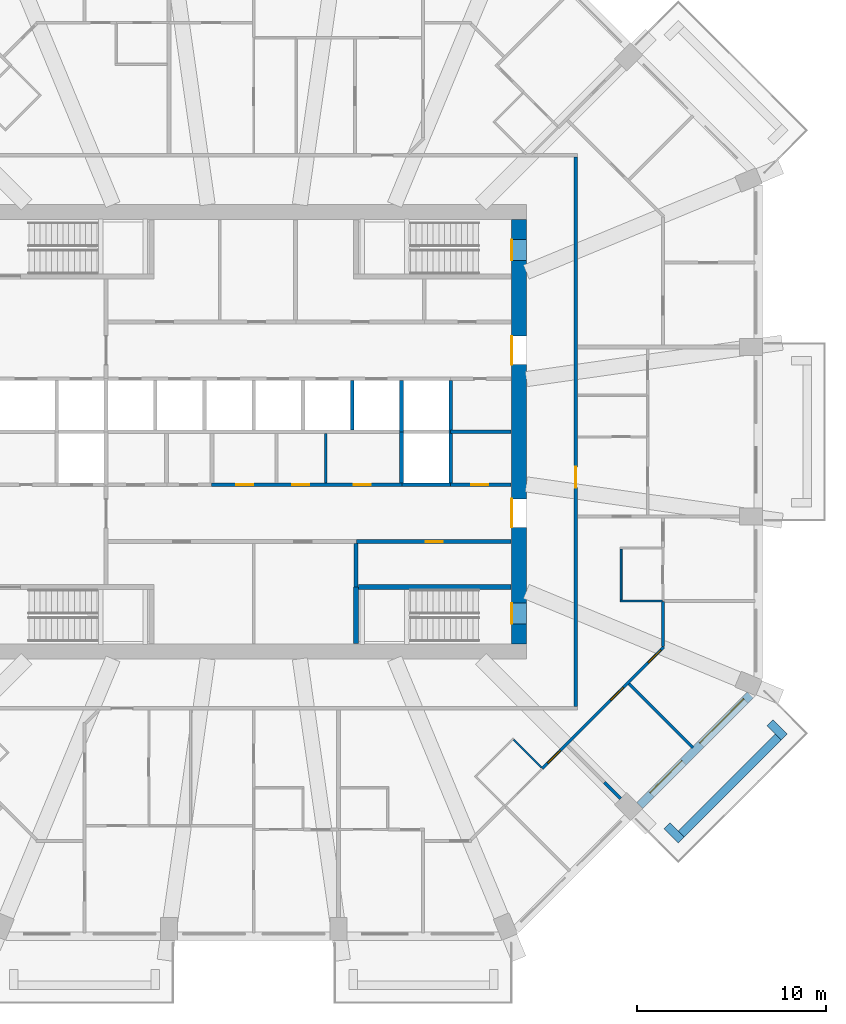
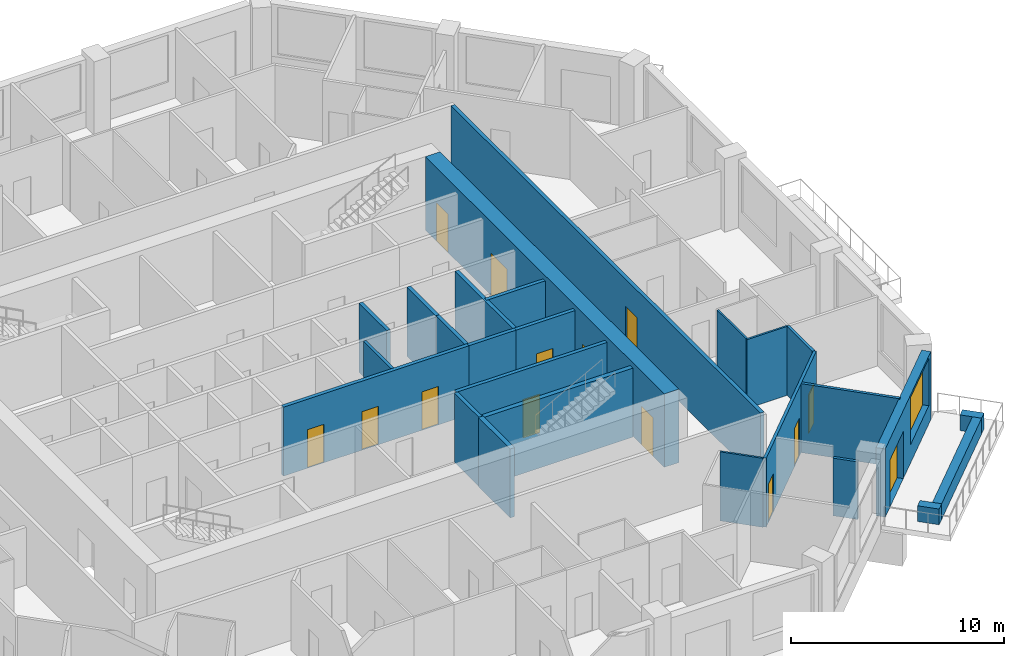
# One storey, part 6 of 13: 26 walls, 14 doors, 1 window, 15 openings.
"""IFC4 building model written with IfcOpenShell, lengths in metres."""

from ifc_helpers import new_model, si_unit, direction, frame, frame_2d, origin, place, context, subcontext, project, spatial, rectangle, extrude, material, layer, layer_set, type_object, element, fill, save


model = new_model("IFC4")

# Units and contexts
model_context = context("Model", 3, precision=1e-05, world=origin(), true_north=direction((0.0, 1.0)))
body_context = subcontext(model_context, "Body", "Model", "MODEL_VIEW")
ifc_project = project(units=[si_unit("LENGTHUNIT", "METRE"), si_unit("AREAUNIT", "SQUARE_METRE"), si_unit("VOLUMEUNIT", "CUBIC_METRE"), si_unit("PLANEANGLEUNIT", "RADIAN"), si_unit("MASSUNIT", "GRAM", prefix="KILO")], contexts=[model_context])

# Site, building, storey
site_placement = place(None, origin())
site = spatial("IfcSite", under=ifc_project, at=site_placement, CompositionType="ELEMENT")
building_placement = place(site_placement, origin())
building = spatial("IfcBuilding", under=site, at=building_placement, Name="Msitu Wima Residences", CompositionType="ELEMENT")
storey_placement = place(building_placement, frame((0.0, 0.0, 106.5)))
storey = spatial("IfcBuildingStorey", under=building, at=storey_placement, Name="L24", CompositionType="ELEMENT", Elevation=106.5)

# Walls
ifc_material_1 = material(Name="Facing brick")
ifc_layer_1 = layer(ifc_material_1, 0.06494140625, Name="Facing brick")
ifc_material_2 = material(Name="Concrete C40/50", Category="concrete")
ifc_layer_2 = layer(ifc_material_2, 0.156005859375, Name="Concrete C40/50")
ifc_material_3 = material(Name="Waterproofing membrane")
ifc_layer_3 = layer(ifc_material_3, 0.00390625, Name="Waterproofing membrane")
ifc_material_4 = material(Name="Planting soil and planting")
ifc_layer_4 = layer(ifc_material_4, 0.22509765625, Name="Planting soil and planting")
ifc_layer_set_1 = layer_set([ifc_layer_1, ifc_layer_2, ifc_layer_3, ifc_layer_4], Name="Concrete C40/50")
wall_type_1 = type_object("IfcWallType", Name="Balcony planter PLANTER PL450", PredefinedType="USERDEFINED", material=ifc_layer_set_1)
wall_1_placement = place(storey_placement, frame((22.572265625, -21.228759765625, 0.0), z_axis=(0.0, 0.0, 1.0), x_axis=(0.707106781187, 0.707106781187, 0.0)))
element("IfcWall", 1, at=wall_1_placement, inside=storey, type_object=wall_type_1, Name="Balcony planter SE1 L24", ObjectType="PLANTER", PredefinedType="USERDEFINED", context=body_context, shape_type="SweptSolid", body=[
    extrude(rectangle(XDim=7.23828125, YDim=0.449951171875, at=frame_2d((3.619140625, 0.0))), origin(), (0.0, 0.0, 1.0), 0.89990234375),
])
for number, where, z_axis, x_axis, name in (
    (2, (21.829833984375, -20.804443359375, 0.0), (0.0, 0.0, 1.0), (0.707106781187, -0.707106781187, 0.0), "Balcony planter SE1 L24"),
    (3, (27.26611328125, -15.3681640625, 0.0), (0.0, 0.0, 1.0), (0.707223014731, -0.706990528533, 0.0), "Balcony planter SE1 L24"),
):
    element("IfcWall", number, at=place(storey_placement, frame(where, z_axis=z_axis, x_axis=x_axis)), inside=storey, type_object=wall_type_1, Name=name, ObjectType="PLANTER", PredefinedType="USERDEFINED", context=body_context, shape_type="SweptSolid", body=[
        extrude(rectangle(XDim=1.050048828125, YDim=0.449951171875, at=frame_2d((0.52490234375, 0.0))), origin(), (0.0, 0.0, 1.0), 0.89990234375),
    ])

# Wall, openings, door, window
ifc_material_5 = material(Name="Brick (red buff mix)", Category="masonry")
ifc_layer_5 = layer(ifc_material_5, 0.449951171875)
ifc_layer_set_2 = layer_set([ifc_layer_5], Name="Brick (red buff mix)")
wall_type_2 = type_object("IfcWallType", Name="Brick infill wall BW450", PredefinedType="SOLIDWALL", material=ifc_layer_set_2)
wall_2_placement = place(storey_placement, frame((20.380126953125, -19.743896484375, 0.0), z_axis=(0.0, 0.0, 1.0), x_axis=(0.707106781187, 0.707106781187, 0.0)))
wall_2 = element("IfcWall", 4, at=wall_2_placement, inside=storey, type_object=wall_type_2, Name="Brick infill wall L24 SE1", PredefinedType="SOLIDWALL", context=body_context, shape_type="SweptSolid", body=[
    extrude(rectangle(XDim=8.251220703125, YDim=0.449951171875, at=frame_2d((4.12548828125, 0.0))), origin(), (0.0, 0.0, 1.0), 3.89990234375),
])
opening_1_placement = place(wall_2_placement, frame((0.86279296875, 0.0, 0.0)))
opening_1 = element("IfcOpeningElement", 5, at=opening_1_placement, cuts=wall_2, Name="Opening D24.008", PredefinedType="OPENING", context=body_context, shape_type="SweptSolid", body=[
    extrude(rectangle(XDim=2.39990234375, YDim=2.699951171875, at=frame_2d((1.199951171875, 1.35009765625))), frame((0.0, 0.23486328125, 0.0), z_axis=(0.0, -1.0, 0.0), x_axis=(1.0, 0.0, 0.0)), (0.0, 0.0, 1.0), 0.469970703125),
])
opening_2_placement = place(wall_2_placement, frame((4.57568359375, 0.0, 1.050048828125)))
opening_2 = element("IfcOpeningElement", 6, at=opening_2_placement, cuts=wall_2, Name="Opening W24.022", PredefinedType="OPENING", context=body_context, shape_type="SweptSolid", body=[
    extrude(rectangle(XDim=3.300048828125, YDim=2.699951171875, at=frame_2d((1.64990234375, 1.35009765625))), frame((0.0, 0.23486328125, 0.0), z_axis=(0.0, -1.0, 0.0), x_axis=(1.0, 0.0, 0.0)), (0.0, 0.0, 1.0), 0.469970703125),
])
ifc_material_6 = material(Name="Anodised aluminium, bronze finish, clear low-emissivity double glazing", Category="aluminium")
door_type_1 = type_object("IfcDoorType", Name="Balcony door D2400x2700", OperationType="SLIDING_TO_LEFT", PredefinedType="DOOR", material=ifc_material_6)
door_1_placement = place(opening_1_placement, origin())
door_1 = element("IfcDoor", 7, at=door_1_placement, inside=storey, type_object=door_type_1, Name="Balcony door L24 SE1", OperationType="SINGLE_SWING_LEFT", OverallHeight=2.699951171875, OverallWidth=2.39990234375, PredefinedType="DOOR", context=body_context, shape_type="SweptSolid", body=[
    extrude(rectangle(XDim=2.39990234375, YDim=2.699951171875, at=frame_2d((1.199951171875, 1.35009765625))), frame((0.0, 0.1298828125, 0.0), z_axis=(0.0, -1.0, 0.0), x_axis=(1.0, 0.0, 0.0)), (0.0, 0.0, 1.0), 0.050048828125),
])
fill(opening_1, door_1)
window_type = type_object("IfcWindowType", Name="Window W3300x2700", PartitioningType="DOUBLE_PANEL_VERTICAL", PredefinedType="WINDOW", material=ifc_material_6)
window_placement = place(opening_2_placement, origin())
window = element("IfcWindow", 8, at=window_placement, inside=storey, type_object=window_type, Name="Window L24 SE1.2", OverallHeight=2.699951171875, OverallWidth=3.300048828125, PartitioningType="SINGLE_PANEL", PredefinedType="WINDOW", context=body_context, shape_type="SweptSolid", body=[
    extrude(rectangle(XDim=3.300048828125, YDim=2.699951171875, at=frame_2d((1.64990234375, 1.35009765625))), frame((0.0, 0.135009765625, 0.0), z_axis=(0.0, -1.0, 0.0), x_axis=(1.0, 0.0, 0.0)), (0.0, 0.0, 1.0), 0.06005859375),
])
fill(opening_2, window)

# Wall, openings, doors
ifc_material_7 = material(Name="Concrete C70/85", Category="concrete")
ifc_layer_6 = layer(ifc_material_7, 0.800048828125)
ifc_layer_set_3 = layer_set([ifc_layer_6], Name="Concrete C70/85")
wall_type_3 = type_object("IfcWallType", Name="Core wall CW800 C70/85", PredefinedType="SHEAR", material=ifc_layer_set_3)
wall_3_placement = place(storey_placement, frame((14.0, -11.199951171875, 0.0), z_axis=(0.0, 0.0, 1.0), x_axis=(0.0, 1.0, 0.0)))
wall_3 = element("IfcWall", 9, at=wall_3_placement, inside=storey, type_object=wall_type_3, Name="Core wall", PredefinedType="SHEAR", context=body_context, shape_type="SweptSolid", body=[
    extrude(rectangle(XDim=22.39990234375, YDim=0.800048828125, at=frame_2d((11.199951171875, 0.0))), origin(), (0.0, 0.0, 1.0), 4.199951171875),
])
opening_3_placement = place(wall_3_placement, frame((20.25, 0.0, 0.0)))
opening_3 = element("IfcOpeningElement", 10, at=opening_3_placement, cuts=wall_3, Name="Opening D24.040", PredefinedType="OPENING", context=body_context, shape_type="SweptSolid", body=[
    extrude(rectangle(XDim=1.10009765625, YDim=2.199951171875, at=frame_2d((0.550048828125, 1.10009765625))), frame((0.0, 0.409912109375, 0.0), z_axis=(0.0, -1.0, 0.0), x_axis=(1.0, 0.0, 0.0)), (0.0, 0.0, 1.0), 0.820068359375),
])
opening_4_placement = place(wall_3_placement, frame((1.050048828125, 0.0, 0.0)))
opening_4 = element("IfcOpeningElement", 11, at=opening_4_placement, cuts=wall_3, Name="Opening D24.041", PredefinedType="OPENING", context=body_context, shape_type="SweptSolid", body=[
    extrude(rectangle(XDim=1.10009765625, YDim=2.199951171875, at=frame_2d((0.550048828125, 1.10009765625))), frame((0.0, 0.409912109375, 0.0), z_axis=(0.0, -1.0, 0.0), x_axis=(1.0, 0.0, 0.0)), (0.0, 0.0, 1.0), 0.820068359375),
])
opening_5_placement = place(wall_3_placement, frame((14.75, 0.0, 0.0)))
opening_5 = element("IfcOpeningElement", 12, at=opening_5_placement, cuts=wall_3, Name="Opening D24.027", PredefinedType="OPENING", context=body_context, shape_type="SweptSolid", body=[
    extrude(rectangle(XDim=1.5, YDim=2.39990234375, at=frame_2d((0.75, 1.199951171875))), frame((0.0, 0.409912109375, 0.0), z_axis=(0.0, -1.0, 0.0), x_axis=(1.0, 0.0, 0.0)), (0.0, 0.0, 1.0), 0.820068359375),
])
opening_6_placement = place(wall_3_placement, frame((6.14990234375, 0.0, 0.0)))
opening_6 = element("IfcOpeningElement", 13, at=opening_6_placement, cuts=wall_3, Name="Opening D24.028", PredefinedType="OPENING", context=body_context, shape_type="SweptSolid", body=[
    extrude(rectangle(XDim=1.5, YDim=2.39990234375, at=frame_2d((0.75, 1.199951171875))), frame((0.0, 0.409912109375, 0.0), z_axis=(0.0, -1.0, 0.0), x_axis=(1.0, 0.0, 0.0)), (0.0, 0.0, 1.0), 0.820068359375),
])
ifc_material_8 = material(Name="Steel framed glazed door, fire resisting", Category="steel")
door_type_2 = type_object("IfcDoorType", Name="Lobby door D07 1500x2400", OperationType="DOUBLE_DOOR_SINGLE_SWING", PredefinedType="DOOR", material=ifc_material_8)
door_2_placement = place(opening_5_placement, origin())
door_2 = element("IfcDoor", 14, at=door_2_placement, inside=storey, type_object=door_type_2, Name="Lobby door", OperationType="DOUBLE_DOOR_SINGLE_SWING", OverallHeight=2.39990234375, OverallWidth=1.5, PredefinedType="DOOR", context=body_context, shape_type="SweptSolid", body=[
    extrude(rectangle(XDim=1.5, YDim=2.39990234375, at=frame_2d((0.75, 1.199951171875))), frame((0.0, 0.39501953125, 0.0), z_axis=(0.0, -1.0, 0.0), x_axis=(1.0, 0.0, 0.0)), (0.0, 0.0, 1.0), 0.050048828125),
])
fill(opening_5, door_2)
door_3_placement = place(opening_6_placement, origin())
door_3 = element("IfcDoor", 15, at=door_3_placement, inside=storey, type_object=door_type_2, Name="Lobby door", OperationType="DOUBLE_DOOR_SINGLE_SWING", OverallHeight=2.39990234375, OverallWidth=1.5, PredefinedType="DOOR", context=body_context, shape_type="SweptSolid", body=[
    extrude(rectangle(XDim=1.5, YDim=2.39990234375, at=frame_2d((0.75, 1.199951171875))), frame((0.0, 0.39501953125, 0.0), z_axis=(0.0, -1.0, 0.0), x_axis=(1.0, 0.0, 0.0)), (0.0, 0.0, 1.0), 0.050048828125),
])
fill(opening_6, door_3)
ifc_material_9 = material(Name="Steel door, fire resisting, panic bar", Category="steel")
door_type_3 = type_object("IfcDoorType", Name="Stair door D06 1100x2200", OperationType="SINGLE_SWING_LEFT", PredefinedType="DOOR", material=ifc_material_9)
door_4_placement = place(opening_3_placement, origin())
door_4 = element("IfcDoor", 16, at=door_4_placement, inside=storey, type_object=door_type_3, Name="Stair door", OperationType="SINGLE_SWING_LEFT", OverallHeight=2.199951171875, OverallWidth=1.10009765625, PredefinedType="DOOR", context=body_context, shape_type="SweptSolid", body=[
    extrude(rectangle(XDim=1.10009765625, YDim=2.199951171875, at=frame_2d((0.550048828125, 1.10009765625))), frame((0.0, 0.39501953125, 0.0), z_axis=(0.0, -1.0, 0.0), x_axis=(1.0, 0.0, 0.0)), (0.0, 0.0, 1.0), 0.050048828125),
])
fill(opening_3, door_4)
door_5_placement = place(opening_4_placement, origin())
door_5 = element("IfcDoor", 17, at=door_5_placement, inside=storey, type_object=door_type_3, Name="Stair door", OperationType="SINGLE_SWING_RIGHT", OverallHeight=2.199951171875, OverallWidth=1.10009765625, PredefinedType="DOOR", context=body_context, shape_type="SweptSolid", body=[
    extrude(rectangle(XDim=1.10009765625, YDim=2.199951171875, at=frame_2d((0.550048828125, 1.10009765625))), frame((0.0, 0.39501953125, 0.0), z_axis=(0.0, -1.0, 0.0), x_axis=(1.0, 0.0, 0.0)), (0.0, 0.0, 1.0), 0.050048828125),
])
fill(opening_4, door_5)

ifc_material_10 = material(Name="Plaster")
ifc_layer_7 = layer(ifc_material_10, 0.011962890625, Name="Plaster")
ifc_material_11 = material(Name="Concrete blockwork", Category="masonry")
ifc_layer_8 = layer(ifc_material_11, 0.176025390625, Name="Concrete blockwork")
ifc_layer_9 = layer(ifc_material_10, 0.011962890625, Name="Plaster")
ifc_layer_set_4 = layer_set([ifc_layer_7, ifc_layer_8, ifc_layer_9], Name="Concrete blockwork")
wall_type_4 = type_object("IfcWallType", Name="Corridor wall FW200", PredefinedType="PARTITIONING", material=ifc_layer_set_4)
wall_4_placement = place(storey_placement, frame((-2.219970703125, -2.800048828125, 0.0), z_axis=(0.0, 0.0, 1.0), x_axis=(1.0, 0.0, 0.0)))
wall_4 = element("IfcWall", 18, at=wall_4_placement, inside=storey, type_object=wall_type_4, Name="Corridor wall", PredefinedType="PARTITIONING", context=body_context, shape_type="SweptSolid", body=[
    extrude(rectangle(XDim=10.0400390625, YDim=0.199951171875, at=frame_2d((5.02001953125, 0.0))), origin(), (0.0, 0.0, 1.0), 3.949951171875),
])
opening_7_placement = place(wall_4_placement, frame((1.300048828125, 0.0, 0.0)))
opening_7 = element("IfcOpeningElement", 19, at=opening_7_placement, cuts=wall_4, Name="Opening D24.033", PredefinedType="OPENING", context=body_context, shape_type="SweptSolid", body=[
    extrude(rectangle(XDim=0.89990234375, YDim=2.199951171875, at=frame_2d((0.449951171875, 1.10009765625))), frame((0.0, 0.10986328125, 0.0), z_axis=(0.0, -1.0, 0.0), x_axis=(1.0, 0.0, 0.0)), (0.0, 0.0, 1.0), 0.219970703125),
])
opening_8_placement = place(wall_4_placement, frame((4.25, 0.0, 0.0)))
opening_8 = element("IfcOpeningElement", 20, at=opening_8_placement, cuts=wall_4, Name="Opening D24.034", PredefinedType="OPENING", context=body_context, shape_type="SweptSolid", body=[
    extrude(rectangle(XDim=0.89990234375, YDim=2.199951171875, at=frame_2d((0.449951171875, 1.10009765625))), frame((0.0, 0.10986328125, 0.0), z_axis=(0.0, -1.0, 0.0), x_axis=(1.0, 0.0, 0.0)), (0.0, 0.0, 1.0), 0.219970703125),
])
opening_9_placement = place(wall_4_placement, frame((7.5, 0.0, 0.0)))
opening_9 = element("IfcOpeningElement", 21, at=opening_9_placement, cuts=wall_4, Name="Opening D24.035", PredefinedType="OPENING", context=body_context, shape_type="SweptSolid", body=[
    extrude(rectangle(XDim=0.89990234375, YDim=2.199951171875, at=frame_2d((0.449951171875, 1.10009765625))), frame((0.0, 0.10986328125, 0.0), z_axis=(0.0, -1.0, 0.0), x_axis=(1.0, 0.0, 0.0)), (0.0, 0.0, 1.0), 0.219970703125),
])
ifc_material_12 = material(Name="Timber flush door", Category="wood")
door_type_4 = type_object("IfcDoorType", Name="Service door D05 900x2200", OperationType="SINGLE_SWING_LEFT", PredefinedType="DOOR", material=ifc_material_12)
door_6_placement = place(opening_7_placement, origin())
door_6 = element("IfcDoor", 22, at=door_6_placement, inside=storey, type_object=door_type_4, Name="Service door", OperationType="SINGLE_SWING_RIGHT", OverallHeight=2.199951171875, OverallWidth=0.89990234375, PredefinedType="DOOR", context=body_context, shape_type="SweptSolid", body=[
    extrude(rectangle(XDim=0.89990234375, YDim=2.199951171875, at=frame_2d((0.449951171875, 1.10009765625))), frame((0.0, 0.02490234375, 0.0), z_axis=(0.0, -1.0, 0.0), x_axis=(1.0, 0.0, 0.0)), (0.0, 0.0, 1.0), 0.050048828125),
])
fill(opening_7, door_6)
door_7_placement = place(opening_8_placement, origin())
door_7 = element("IfcDoor", 23, at=door_7_placement, inside=storey, type_object=door_type_4, Name="Service door", OperationType="SINGLE_SWING_LEFT", OverallHeight=2.199951171875, OverallWidth=0.89990234375, PredefinedType="DOOR", context=body_context, shape_type="SweptSolid", body=[
    extrude(rectangle(XDim=0.89990234375, YDim=2.199951171875, at=frame_2d((0.449951171875, 1.10009765625))), frame((0.0, 0.02490234375, 0.0), z_axis=(0.0, -1.0, 0.0), x_axis=(1.0, 0.0, 0.0)), (0.0, 0.0, 1.0), 0.050048828125),
])
fill(opening_8, door_7)
door_8_placement = place(opening_9_placement, origin())
door_8 = element("IfcDoor", 24, at=door_8_placement, inside=storey, type_object=door_type_4, Name="Service door", OperationType="SINGLE_SWING_LEFT", OverallHeight=2.199951171875, OverallWidth=0.89990234375, PredefinedType="DOOR", context=body_context, shape_type="SweptSolid", body=[
    extrude(rectangle(XDim=0.89990234375, YDim=2.199951171875, at=frame_2d((0.449951171875, 1.10009765625))), frame((0.0, 0.02490234375, 0.0), z_axis=(0.0, -1.0, 0.0), x_axis=(1.0, 0.0, 0.0)), (0.0, 0.0, 1.0), 0.050048828125),
])
fill(opening_9, door_8)

# Wall, opening, door
wall_5_placement = place(storey_placement, frame((17.0, -14.5, 0.0), z_axis=(0.0, 0.0, 1.0), x_axis=(0.0, 1.0, 0.0)))
wall_5 = element("IfcWall", 25, at=wall_5_placement, inside=storey, type_object=wall_type_4, Name="Corridor wall", PredefinedType="PARTITIONING", context=body_context, shape_type="SweptSolid", body=[
    extrude(rectangle(XDim=29.0, YDim=0.199951171875, at=frame_2d((14.5, 0.0))), origin(), (0.0, 0.0, 1.0), 3.949951171875),
])
opening_10_placement = place(wall_5_placement, frame((11.550048828125, 0.0, 0.0)))
opening_10 = element("IfcOpeningElement", 26, at=opening_10_placement, cuts=wall_5, Name="Opening D24.014", PredefinedType="OPENING", context=body_context, shape_type="SweptSolid", body=[
    extrude(rectangle(XDim=1.10009765625, YDim=2.39990234375, at=frame_2d((0.550048828125, 1.199951171875))), frame((0.0, 0.10986328125, 0.0), z_axis=(0.0, -1.0, 0.0), x_axis=(1.0, 0.0, 0.0)), (0.0, 0.0, 1.0), 0.219970703125),
])
ifc_material_13 = material(Name="Timber flush door, fire resisting, self-closing", Category="wood")
door_type_5 = type_object("IfcDoorType", Name="Flat entrance door D01 1100x2400", OperationType="SINGLE_SWING_LEFT", PredefinedType="DOOR", material=ifc_material_13)
door_9_placement = place(opening_10_placement, origin())
door_9 = element("IfcDoor", 27, at=door_9_placement, inside=storey, type_object=door_type_5, Name="Flat entrance door", OperationType="SINGLE_SWING_RIGHT", OverallHeight=2.39990234375, OverallWidth=1.10009765625, PredefinedType="DOOR", context=body_context, shape_type="SweptSolid", body=[
    extrude(rectangle(XDim=1.10009765625, YDim=2.39990234375, at=frame_2d((0.550048828125, 1.199951171875))), frame((0.0, 0.02490234375, 0.0), z_axis=(0.0, -1.0, 0.0), x_axis=(1.0, 0.0, 0.0)), (0.0, 0.0, 1.0), 0.050048828125),
])
fill(opening_10, door_9)

# Wall
ifc_layer_10 = layer(ifc_material_10, 0.011962890625, Name="Plaster")
ifc_layer_11 = layer(ifc_material_11, 0.1259765625, Name="Concrete blockwork")
ifc_layer_12 = layer(ifc_material_10, 0.011962890625, Name="Plaster")
ifc_layer_set_5 = layer_set([ifc_layer_10, ifc_layer_11, ifc_layer_12], Name="Concrete blockwork")
wall_type_5 = type_object("IfcWallType", Name="Partition PW150", PredefinedType="PARTITIONING", material=ifc_layer_set_5)
wall_6_placement = place(storey_placement, frame((3.800048828125, -2.699951171875, 0.0), z_axis=(0.0, 0.0, 1.0), x_axis=(0.0, 1.0, 0.0)))
element("IfcWall", 28, at=wall_6_placement, inside=storey, type_object=wall_type_5, Name="Partition", PredefinedType="PARTITIONING", context=body_context, shape_type="SweptSolid", body=[
    extrude(rectangle(XDim=2.599853515625, YDim=0.14990234375, at=frame_2d((1.2998046875, 0.0))), origin(), (0.0, 0.0, 1.0), 3.949951171875),
])

# Wall, openings, doors
wall_7_placement = place(storey_placement, frame((15.240234375, -17.77734375, 0.0), z_axis=(0.0, 0.0, 1.0), x_axis=(0.707120241298, 0.707093320819, 0.0)))
wall_7 = element("IfcWall", 29, at=wall_7_placement, inside=storey, type_object=wall_type_5, Name="Partition", PredefinedType="PARTITIONING", context=body_context, shape_type="SweptSolid", body=[
    extrude(rectangle(XDim=9.06884765625, YDim=0.14990234375, at=frame_2d((4.534423828125, 0.0))), origin(), (0.0, 0.0, 1.0), 3.949951171875),
])
opening_11_placement = place(wall_7_placement, frame((5.10009765625, 0.0, 0.0)))
opening_11 = element("IfcOpeningElement", 30, at=opening_11_placement, cuts=wall_7, Name="Opening D24.079", PredefinedType="OPENING", context=body_context, shape_type="SweptSolid", body=[
    extrude(rectangle(XDim=0.949951171875, YDim=2.199951171875, at=frame_2d((0.47509765625, 1.10009765625))), frame((0.0, 0.0849609375, 0.0), z_axis=(0.0, -1.0, 0.0), x_axis=(1.0, 0.0, 0.0)), (0.0, 0.0, 1.0), 0.169921875),
])
opening_12_placement = place(wall_7_placement, frame((0.39990234375, 0.0, 0.0)))
opening_12 = element("IfcOpeningElement", 31, at=opening_12_placement, cuts=wall_7, Name="Opening D24.081", PredefinedType="OPENING", context=body_context, shape_type="SweptSolid", body=[
    extrude(rectangle(XDim=0.949951171875, YDim=2.199951171875, at=frame_2d((0.47509765625, 1.10009765625))), frame((0.0, 0.0849609375, 0.0), z_axis=(0.0, -1.0, 0.0), x_axis=(1.0, 0.0, 0.0)), (0.0, 0.0, 1.0), 0.169921875),
])
opening_13_placement = place(wall_7_placement, frame((7.89990234375, 0.0, 0.0)))
opening_13 = element("IfcOpeningElement", 32, at=opening_13_placement, cuts=wall_7, Name="Opening D24.088", PredefinedType="OPENING", context=body_context, shape_type="SweptSolid", body=[
    extrude(rectangle(XDim=0.949951171875, YDim=2.199951171875, at=frame_2d((0.47509765625, 1.10009765625))), frame((0.0, 0.0849609375, 0.0), z_axis=(0.0, -1.0, 0.0), x_axis=(1.0, 0.0, 0.0)), (0.0, 0.0, 1.0), 0.169921875),
])
door_type_6 = type_object("IfcDoorType", Name="Room door D12 950x2200", OperationType="SINGLE_SWING_LEFT", PredefinedType="DOOR", material=ifc_material_12)
door_10_placement = place(opening_11_placement, origin())
door_10 = element("IfcDoor", 33, at=door_10_placement, inside=storey, type_object=door_type_6, Name="Room door", OperationType="SINGLE_SWING_LEFT", OverallHeight=2.199951171875, OverallWidth=0.949951171875, PredefinedType="DOOR", context=body_context, shape_type="SweptSolid", body=[
    extrude(rectangle(XDim=0.949951171875, YDim=2.199951171875, at=frame_2d((0.47509765625, 1.10009765625))), frame((0.0, 0.02490234375, 0.0), z_axis=(0.0, -1.0, 0.0), x_axis=(1.0, 0.0, 0.0)), (0.0, 0.0, 1.0), 0.050048828125),
])
fill(opening_11, door_10)
door_11_placement = place(opening_12_placement, origin())
door_11 = element("IfcDoor", 34, at=door_11_placement, inside=storey, type_object=door_type_6, Name="Room door", OperationType="SINGLE_SWING_LEFT", OverallHeight=2.199951171875, OverallWidth=0.949951171875, PredefinedType="DOOR", context=body_context, shape_type="SweptSolid", body=[
    extrude(rectangle(XDim=0.949951171875, YDim=2.199951171875, at=frame_2d((0.47509765625, 1.10009765625))), frame((0.0, 0.02490234375, 0.0), z_axis=(0.0, -1.0, 0.0), x_axis=(1.0, 0.0, 0.0)), (0.0, 0.0, 1.0), 0.050048828125),
])
fill(opening_12, door_11)
door_12_placement = place(opening_13_placement, origin())
door_12 = element("IfcDoor", 35, at=door_12_placement, inside=storey, type_object=door_type_6, Name="Room door", OperationType="SINGLE_SWING_RIGHT", OverallHeight=2.199951171875, OverallWidth=0.949951171875, PredefinedType="DOOR", context=body_context, shape_type="SweptSolid", body=[
    extrude(rectangle(XDim=0.949951171875, YDim=2.199951171875, at=frame_2d((0.47509765625, 1.10009765625))), frame((0.0, 0.02490234375, 0.0), z_axis=(0.0, -1.0, 0.0), x_axis=(1.0, 0.0, 0.0)), (0.0, 0.0, 1.0), 0.050048828125),
])
fill(opening_13, door_12)

# Walls
wall_8_placement = place(storey_placement, frame((18.517578125, -18.517578125, 0.0), z_axis=(0.0, 0.0, 1.0), x_axis=(0.707106781187, -0.707106781187, 0.0)))
element("IfcWall", 36, at=wall_8_placement, inside=storey, type_object=wall_type_5, Name="Partition", PredefinedType="PARTITIONING", context=body_context, shape_type="SweptSolid", body=[
    extrude(rectangle(XDim=1.209228515625, YDim=0.14990234375, at=frame_2d((0.6044921875, 0.0))), origin(), (0.0, 0.0, 1.0), 3.300048828125),
])
wall_9_placement = place(storey_placement, frame((19.810302734375, -13.313232421875, 0.0), z_axis=(0.0, 0.0, 1.0), x_axis=(0.707106781187, -0.707106781187, 0.0)))
element("IfcWall", 37, at=wall_9_placement, inside=storey, type_object=wall_type_5, Name="Partition", PredefinedType="PARTITIONING", context=body_context, shape_type="SweptSolid", body=[
    extrude(rectangle(XDim=4.7802734375, YDim=0.14990234375, at=frame_2d((2.39013671875, 0.0))), origin(), (0.0, 0.0, 1.0), 3.949951171875),
])
wall_10_placement = place(storey_placement, frame((21.60009765625, -11.3427734375, 0.0), z_axis=(0.0, 0.0, 1.0), x_axis=(0.0, 1.0, 0.0)))
element("IfcWall", 38, at=wall_10_placement, inside=storey, type_object=wall_type_5, Name="Partition", PredefinedType="PARTITIONING", context=body_context, shape_type="SweptSolid", body=[
    extrude(rectangle(XDim=2.385498046875, YDim=0.14990234375, at=frame_2d((1.19287109375, 0.0))), origin(), (0.0, 0.0, 1.0), 3.949951171875),
])

# Wall, opening, door
ifc_layer_13 = layer(ifc_material_10, 0.011962890625, Name="Plaster")
ifc_material_14 = material(Name="Reinforced concrete blockwork", Category="masonry")
ifc_layer_14 = layer(ifc_material_14, 0.176025390625, Name="Reinforced concrete blockwork")
ifc_layer_15 = layer(ifc_material_10, 0.011962890625, Name="Plaster")
ifc_layer_set_6 = layer_set([ifc_layer_13, ifc_layer_14, ifc_layer_15], Name="Reinforced concrete blockwork")
wall_type_6 = type_object("IfcWallType", Name="Plant and riser wall PL200", PredefinedType="PARTITIONING", material=ifc_layer_set_6)
wall_11_placement = place(storey_placement, frame((5.419921875, -5.800048828125, 0.0), z_axis=(0.0, 0.0, 1.0), x_axis=(1.0, 0.0, 0.0)))
wall_11 = element("IfcWall", 39, at=wall_11_placement, inside=storey, type_object=wall_type_6, Name="Plant and riser wall", PredefinedType="PARTITIONING", context=body_context, shape_type="SweptSolid", body=[
    extrude(rectangle(XDim=8.150146484375, YDim=0.199951171875, at=frame_2d((4.0751953125, 0.0))), origin(), (0.0, 0.0, 1.0), 3.949951171875),
])
opening_14_placement = place(wall_11_placement, frame((3.64990234375, 0.0, 0.0)))
opening_14 = element("IfcOpeningElement", 40, at=opening_14_placement, cuts=wall_11, Name="Opening D24.026", PredefinedType="OPENING", context=body_context, shape_type="SweptSolid", body=[
    extrude(rectangle(XDim=0.89990234375, YDim=2.199951171875, at=frame_2d((0.449951171875, 1.10009765625))), frame((0.0, 0.10986328125, 0.0), z_axis=(0.0, -1.0, 0.0), x_axis=(1.0, 0.0, 0.0)), (0.0, 0.0, 1.0), 0.219970703125),
])
door_13_placement = place(opening_14_placement, origin())
door_13 = element("IfcDoor", 41, at=door_13_placement, inside=storey, type_object=door_type_4, Name="Service door", OperationType="SINGLE_SWING_LEFT", OverallHeight=2.199951171875, OverallWidth=0.89990234375, PredefinedType="DOOR", context=body_context, shape_type="SweptSolid", body=[
    extrude(rectangle(XDim=0.89990234375, YDim=2.199951171875, at=frame_2d((0.449951171875, 1.10009765625))), frame((0.0, 0.02490234375, 0.0), z_axis=(0.0, -1.0, 0.0), x_axis=(1.0, 0.0, 0.0)), (0.0, 0.0, 1.0), 0.050048828125),
])
fill(opening_14, door_13)

# Wall
wall_12_placement = place(storey_placement, frame((5.39990234375, -8.199951171875, 0.0), z_axis=(0.0, 0.0, 1.0), x_axis=(0.0, 1.0, 0.0)))
element("IfcWall", 42, at=wall_12_placement, inside=storey, type_object=wall_type_6, Name="Plant and riser wall", PredefinedType="PARTITIONING", context=body_context, shape_type="SweptSolid", body=[
    extrude(rectangle(XDim=2.300048828125, YDim=0.199951171875, at=frame_2d((1.14990234375, 0.0))), origin(), (0.0, 0.0, 1.0), 3.949951171875),
])

# Wall, opening, door
wall_13_placement = place(storey_placement, frame((10.3798828125, -2.800048828125, 0.0), z_axis=(0.0, 0.0, 1.0), x_axis=(1.0, 0.0, 0.0)))
wall_13 = element("IfcWall", 43, at=wall_13_placement, inside=storey, type_object=wall_type_6, Name="Plant and riser wall", PredefinedType="PARTITIONING", context=body_context, shape_type="SweptSolid", body=[
    extrude(rectangle(XDim=3.190185546875, YDim=0.199951171875, at=frame_2d((1.59521484375, 0.0))), origin(), (0.0, 0.0, 1.0), 3.949951171875),
])
opening_15_placement = place(wall_13_placement, frame((1.10009765625, 0.0, 0.0)))
opening_15 = element("IfcOpeningElement", 44, at=opening_15_placement, cuts=wall_13, Name="Opening D24.015", PredefinedType="OPENING", context=body_context, shape_type="SweptSolid", body=[
    extrude(rectangle(XDim=0.89990234375, YDim=2.199951171875, at=frame_2d((0.449951171875, 1.10009765625))), frame((0.0, 0.10986328125, 0.0), z_axis=(0.0, -1.0, 0.0), x_axis=(1.0, 0.0, 0.0)), (0.0, 0.0, 1.0), 0.219970703125),
])
door_14_placement = place(opening_15_placement, origin())
door_14 = element("IfcDoor", 45, at=door_14_placement, inside=storey, type_object=door_type_4, Name="Service door", OperationType="SINGLE_SWING_LEFT", OverallHeight=2.199951171875, OverallWidth=0.89990234375, PredefinedType="DOOR", context=body_context, shape_type="SweptSolid", body=[
    extrude(rectangle(XDim=0.89990234375, YDim=2.199951171875, at=frame_2d((0.449951171875, 1.10009765625))), frame((0.0, 0.02490234375, 0.0), z_axis=(0.0, -1.0, 0.0), x_axis=(1.0, 0.0, 0.0)), (0.0, 0.0, 1.0), 0.050048828125),
])
fill(opening_15, door_14)

# Walls
wall_14_placement = place(storey_placement, frame((10.39990234375, 0.0, 0.0), z_axis=(0.0, 0.0, 1.0), x_axis=(1.0, 0.0, 0.0)))
element("IfcWall", 46, at=wall_14_placement, inside=storey, type_object=wall_type_6, Name="Plant and riser wall", PredefinedType="PARTITIONING", context=body_context, shape_type="SweptSolid", body=[
    extrude(rectangle(XDim=3.170166015625, YDim=0.199951171875, at=frame_2d((1.5849609375, 0.0))), origin(), (0.0, 0.0, 1.0), 3.949951171875),
])
ifc_material_15 = material(Name="Fire-rated board")
ifc_layer_16 = layer(ifc_material_15, 0.02490234375, Name="Fire-rated board")
ifc_material_16 = material(Name="Light-gauge stud framing with mineral wool")
ifc_layer_17 = layer(ifc_material_16, 0.14990234375, Name="Light-gauge stud framing with mineral wool")
ifc_layer_18 = layer(ifc_material_15, 0.02490234375, Name="Fire-rated board")
ifc_layer_set_7 = layer_set([ifc_layer_16, ifc_layer_17, ifc_layer_18], Name="Light-gauge stud framing with mineral wool")
wall_type_7 = type_object("IfcWallType", Name="Shaft wall SH200", PredefinedType="PARTITIONING", material=ifc_layer_set_7)
wall_15_placement = place(storey_placement, frame((5.199951171875, 0.10009765625, 0.0), z_axis=(0.0, 0.0, 1.0), x_axis=(0.0, 1.0, 0.0)))
element("IfcWall", 47, at=wall_15_placement, inside=storey, type_object=wall_type_7, Name="Shaft wall", PredefinedType="PARTITIONING", context=body_context, shape_type="SweptSolid", body=[
    extrude(rectangle(XDim=2.599853515625, YDim=0.199951171875, at=frame_2d((1.2998046875, 0.0))), origin(), (0.0, 0.0, 1.0), 3.949951171875),
])
wall_16_placement = place(storey_placement, frame((7.800048828125, -2.699951171875, 0.0), z_axis=(0.0, 0.0, 1.0), x_axis=(0.0, 1.0, 0.0)))
element("IfcWall", 48, at=wall_16_placement, inside=storey, type_object=wall_type_7, Name="Shaft wall", PredefinedType="PARTITIONING", context=body_context, shape_type="SweptSolid", body=[
    extrude(rectangle(XDim=2.699951171875, YDim=0.199951171875, at=frame_2d((1.35009765625, 0.0))), origin(), (0.0, 0.0, 1.0), 3.949951171875),
])
wall_17_placement = place(storey_placement, frame((7.820068359375, -2.800048828125, 0.0), z_axis=(0.0, 0.0, 1.0), x_axis=(1.0, 0.0, 0.0)))
element("IfcWall", 49, at=wall_17_placement, inside=storey, type_object=wall_type_7, Name="Shaft wall", PredefinedType="PARTITIONING", context=body_context, shape_type="SweptSolid", body=[
    extrude(rectangle(XDim=2.559814453125, YDim=0.199951171875, at=frame_2d((1.27978515625, 0.0))), origin(), (0.0, 0.0, 1.0), 3.949951171875),
])
wall_18_placement = place(storey_placement, frame((7.800048828125, 0.0, 0.0), z_axis=(0.0, 0.0, 1.0), x_axis=(0.0, 1.0, 0.0)))
element("IfcWall", 50, at=wall_18_placement, inside=storey, type_object=wall_type_7, Name="Shaft wall", PredefinedType="PARTITIONING", context=body_context, shape_type="SweptSolid", body=[
    extrude(rectangle(XDim=2.699951171875, YDim=0.199951171875, at=frame_2d((1.35009765625, 0.0))), origin(), (0.0, 0.0, 1.0), 3.949951171875),
])
wall_19_placement = place(storey_placement, frame((10.39990234375, -2.699951171875, 0.0), z_axis=(0.0, 0.0, 1.0), x_axis=(0.0, 1.0, 0.0)))
element("IfcWall", 51, at=wall_19_placement, inside=storey, type_object=wall_type_7, Name="Shaft wall", PredefinedType="PARTITIONING", context=body_context, shape_type="SweptSolid", body=[
    extrude(rectangle(XDim=5.39990234375, YDim=0.199951171875, at=frame_2d((2.699951171875, 0.0))), origin(), (0.0, 0.0, 1.0), 3.949951171875),
])
ifc_material_17 = material(Name="Concrete C50/60", Category="concrete")
ifc_layer_19 = layer(ifc_material_17, 0.25)
ifc_layer_set_8 = layer_set([ifc_layer_19], Name="Concrete C50/60")
wall_type_8 = type_object("IfcWallType", Name="Stair enclosure wall SW250", PredefinedType="SHEAR", material=ifc_layer_set_8)
wall_20_placement = place(storey_placement, frame((5.39990234375, -11.169921875, 0.0), z_axis=(0.0, 0.0, 1.0), x_axis=(0.0, 1.0, 0.0)))
element("IfcWall", 52, at=wall_20_placement, inside=storey, type_object=wall_type_8, Name="Stair enclosure wall", PredefinedType="SHEAR", context=body_context, shape_type="SweptSolid", body=[
    extrude(rectangle(XDim=2.969970703125, YDim=0.25, at=frame_2d((1.48486328125, 0.0))), origin(), (0.0, 0.0, 1.0), 3.949951171875),
])
wall_21_placement = place(storey_placement, frame((5.52490234375, -8.199951171875, 0.0), z_axis=(0.0, 0.0, 1.0), x_axis=(1.0, 0.0, 0.0)))
element("IfcWall", 53, at=wall_21_placement, inside=storey, type_object=wall_type_8, Name="Stair enclosure wall", PredefinedType="SHEAR", context=body_context, shape_type="SweptSolid", body=[
    extrude(rectangle(XDim=8.045166015625, YDim=0.25, at=frame_2d((4.0224609375, 0.0))), origin(), (0.0, 0.0, 1.0), 3.949951171875),
])
ifc_material_18 = material(Name="Ceramic tiles")
ifc_layer_20 = layer(ifc_material_18, 0.008056640625, Name="Ceramic tiles")
ifc_material_19 = material(Name="Moisture-resistant board")
ifc_layer_21 = layer(ifc_material_19, 0.012451171875, Name="Moisture-resistant board")
ifc_layer_22 = layer(ifc_material_16, 0.06689453125, Name="Light-gauge stud framing with mineral wool")
ifc_layer_23 = layer(ifc_material_19, 0.012451171875, Name="Moisture-resistant board")
ifc_layer_set_9 = layer_set([ifc_layer_20, ifc_layer_21, ifc_layer_22, ifc_layer_23], Name="Light-gauge stud framing with mineral wool")
wall_type_9 = type_object("IfcWallType", Name="Wet wall PW100", PredefinedType="PARTITIONING", material=ifc_layer_set_9)
wall_22_placement = place(storey_placement, frame((13.719970703125, -16.257080078125, 0.0), z_axis=(0.0, 0.0, 1.0), x_axis=(0.707106781187, -0.707106781187, 0.0)))
element("IfcWall", 54, at=wall_22_placement, inside=storey, type_object=wall_type_9, Name="Wet wall", PredefinedType="PARTITIONING", context=body_context, shape_type="SweptSolid", body=[
    extrude(rectangle(XDim=2.074951171875, YDim=0.10009765625, at=frame_2d((1.03759765625, 0.0))), origin(), (0.0, 0.0, 1.0), 3.949951171875),
])
wall_23_placement = place(storey_placement, frame((19.39990234375, -8.88720703125, 0.0), z_axis=(0.0, 0.0, 1.0), x_axis=(0.0, 1.0, 0.0)))
element("IfcWall", 55, at=wall_23_placement, inside=storey, type_object=wall_type_9, Name="Wet wall", PredefinedType="PARTITIONING", context=body_context, shape_type="SweptSolid", body=[
    extrude(rectangle(XDim=2.699951171875, YDim=0.10009765625, at=frame_2d((1.35009765625, 0.0))), origin(), (0.0, 0.0, 1.0), 3.949951171875),
])
wall_24_placement = place(storey_placement, frame((19.35009765625, -8.937255859375, 0.0), z_axis=(0.0, 0.0, 1.0), x_axis=(1.0, 0.0, 0.0)))
element("IfcWall", 56, at=wall_24_placement, inside=storey, type_object=wall_type_9, Name="Wet wall", PredefinedType="PARTITIONING", context=body_context, shape_type="SweptSolid", body=[
    extrude(rectangle(XDim=2.22998046875, YDim=0.10009765625, at=frame_2d((1.114990234375, 0.0))), origin(), (0.0, 0.0, 1.0), 3.949951171875),
])

save(model, "model.ifc")
